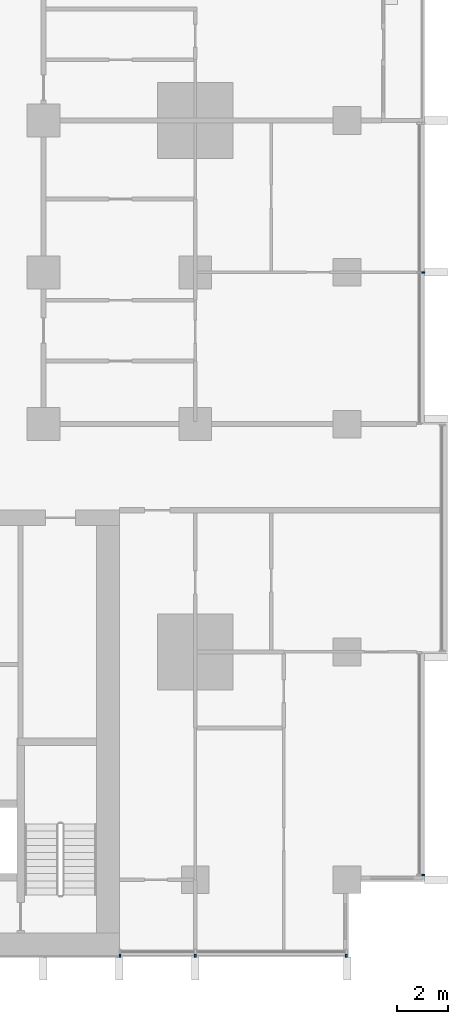
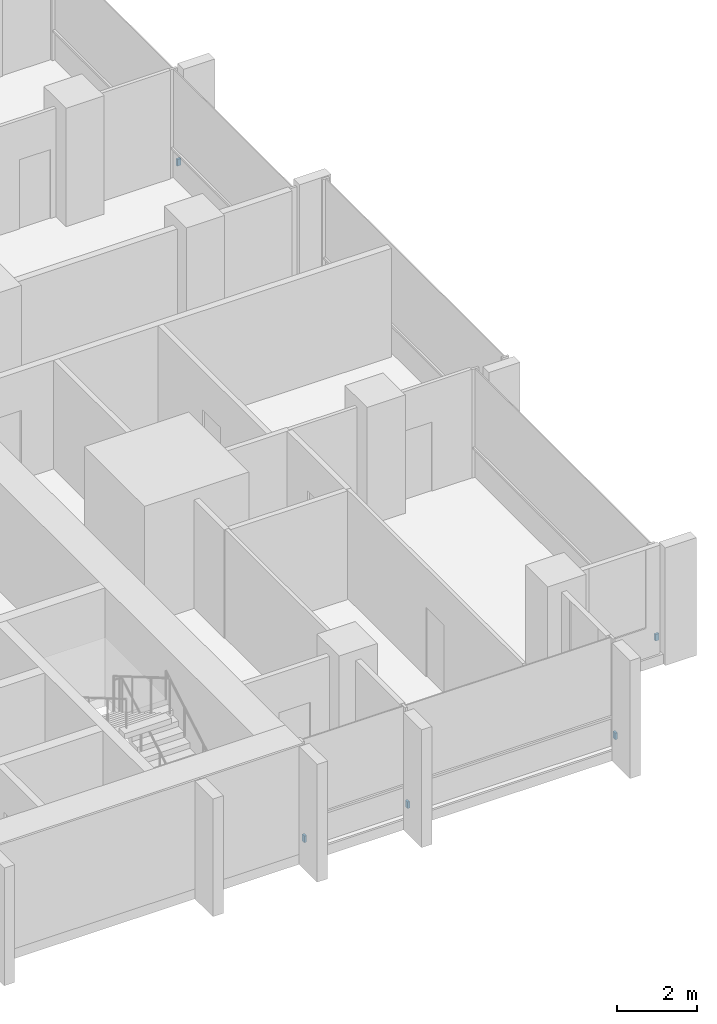
# One storey, part 15 of 18: 5 discrete accessories.
"""IFC4 building model written with IfcOpenShell, lengths in metres."""

import ifcopenshell
import ifcopenshell.guid

model = None  # the IFC model being written
_history = None  # IfcOwnerHistory: only IFC2X3 demands one
_inside = {}  # id of a spatial element -> (the spatial element, [elements in it])
_under = {}  # id of a project, library or spatial element -> (it, [spatial elements below it])
_declared = {}  # id of a project -> (the project, [libraries it declares])
_typed = {}  # id of a type object -> (the type object, [elements of that type])
_made_of = {}  # id of a material, layer set ... -> (it, [elements and type objects made of it])


def new_model(schema):
    """Start an empty IFC model of exactly this schema.

    Asked for "IFC4X3", IfcOpenShell would pick the latest addendum, in which some entities
    have other attributes; the version numbers below select the first issue.
    IFC2X3 requires an IfcOwnerHistory on every rooted entity: one is made here for all.
    """
    global model, _history
    if schema == "IFC4X3":
        model = ifcopenshell.file(schema_version=(4, 3, 0, 0))
    else:
        model = ifcopenshell.file(schema=schema)
    _inside.clear()
    _under.clear()
    _declared.clear()
    _typed.clear()
    _made_of.clear()
    _history = None
    if model.schema == "IFC2X3":
        org = make("IfcOrganization", Name="unknown")
        user = make(
            "IfcPersonAndOrganization",
            ThePerson=make("IfcPerson", FamilyName="unknown"),
            TheOrganization=org,
        )
        app = make(
            "IfcApplication",
            ApplicationDeveloper=org,
            Version="unknown",
            ApplicationFullName="unknown",
            ApplicationIdentifier="unknown",
        )
        _history = make(
            "IfcOwnerHistory",
            OwningUser=user,
            OwningApplication=app,
            ChangeAction="ADDED",
            CreationDate=0,
        )
    return model


def make(cls, **values):
    """One entity of the class cls with the attributes given. An attribute that is None is left unset."""
    return model.create_entity(
        cls, **{name: value for name, value in values.items() if value is not None}
    )


def rooted(cls, **values):
    """An entity with a GlobalId (a new one), such as an element, a storey or a relation."""
    return make(cls, GlobalId=ifcopenshell.guid.new(), OwnerHistory=_history, **values)


def si_unit(unit_type, name, prefix=None):
    """IfcSIUnit, for example si_unit("LENGTHUNIT", "METRE", prefix="MILLI")."""
    return make("IfcSIUnit", UnitType=unit_type, Prefix=prefix, Name=name)


def assignment(units):
    """IfcUnitAssignment: the units of a project."""
    return None if units is None else make("IfcUnitAssignment", Units=units)


def point(xyz):
    """IfcCartesianPoint."""
    return None if xyz is None else make("IfcCartesianPoint", Coordinates=xyz)


def direction(xyz):
    """IfcDirection."""
    return None if xyz is None else make("IfcDirection", DirectionRatios=xyz)


def frame(location, z_axis=None, x_axis=None):
    """IfcAxis2Placement3D, a coordinate frame: its origin and axes. An axis left out is left unset."""
    return make(
        "IfcAxis2Placement3D",
        Location=point(location),
        Axis=direction(z_axis),
        RefDirection=direction(x_axis),
    )


def frame_2d(location, x_axis=None):
    """IfcAxis2Placement2D, a coordinate frame in the plane: its origin and x axis."""
    return make(
        "IfcAxis2Placement2D", Location=point(location), RefDirection=direction(x_axis)
    )


def origin():
    """The frame at (0, 0, 0) with its axes left unset."""
    return frame((0.0, 0.0, 0.0))


def origin_2d():
    """The frame at (0, 0) in the plane with its x axis left unset."""
    return frame_2d((0.0, 0.0))


def place(relative_to, where):
    """IfcLocalPlacement: puts the frame where relative to a parent placement (None: the world)."""
    return make(
        "IfcLocalPlacement", PlacementRelTo=relative_to, RelativePlacement=where
    )


def context(
    kind, dimensions, precision=None, world=None, true_north=None, identifier=None
):
    """IfcGeometricRepresentationContext, for example the 3D "Model" context."""
    return make(
        "IfcGeometricRepresentationContext",
        ContextIdentifier=identifier,
        ContextType=kind,
        CoordinateSpaceDimension=dimensions,
        Precision=precision,
        WorldCoordinateSystem=world,
        TrueNorth=true_north,
    )


def subcontext(parent, identifier, kind, view, scale=None):
    """IfcGeometricRepresentationSubContext, for example "Body" below "Model"."""
    return make(
        "IfcGeometricRepresentationSubContext",
        ContextIdentifier=identifier,
        ContextType=kind,
        ParentContext=parent,
        TargetScale=scale,
        TargetView=view,
    )


def project(units=None, contexts=None):
    """IfcProject with its units and contexts."""
    return rooted(
        "IfcProject",
        Name="project",
        RepresentationContexts=contexts,
        UnitsInContext=assignment(units),
    )


def spatial(cls, under=None, at=None, **own):
    """A site, building, storey or space (cls), placed at a placement, below another one or the project."""
    s = rooted(cls, ObjectPlacement=at, **own)
    if under is not None:
        _under.setdefault(under.id(), (under, []))[1].append(s)
    return s


def profile(cls, at=None, kind="AREA", **sizes):
    """A parametric profile (cls). Its sizes go by their IFC names, for example OverallWidth=200.0."""
    return make(cls, ProfileType=kind, Position=at, **sizes)


def rectangle(**sizes):
    """IfcRectangleProfileDef."""
    return profile("IfcRectangleProfileDef", **sizes)


def extrude(swept, where, along, depth):
    """IfcExtrudedAreaSolid: the profile swept, set in the frame where, extruded along a direction by depth."""
    return make(
        "IfcExtrudedAreaSolid",
        SweptArea=swept,
        Position=where,
        ExtrudedDirection=direction(along),
        Depth=depth,
    )


def shape(context_of_items, identifier, shape_type, items):
    """IfcShapeRepresentation: the items that make up one representation, for example the "Body"."""
    return make(
        "IfcShapeRepresentation",
        ContextOfItems=context_of_items,
        RepresentationIdentifier=identifier,
        RepresentationType=shape_type,
        Items=items,
    )


def material(Name=None, Category=None):
    """IfcMaterial."""
    return make("IfcMaterial", Name=Name, Category=Category)


def made_of(thing, what):
    """Note that an element or type object is made of a material, layer set ...; save() writes the relation."""
    if what is not None:
        _made_of.setdefault(what.id(), (what, []))[1].append(thing)
    return thing


def type_object(cls, material=None, **own):
    """A type object (cls), such as IfcWallType, which elements share."""
    return made_of(rooted(cls, **own), material)


def element(
    cls,
    number,
    at=None,
    inside=None,
    cuts=None,
    type_object=None,
    material=None,
    context=None,
    identifier="Body",
    shape_type=None,
    held_by="IfcProductDefinitionShape",
    body=None,
    shapes=None,
    **own,
):
    """One element of the class cls, such as IfcWall. Its Tag is "e" and its number.

    at: its placement. inside: the storey or other place that contains it. cuts: it is an
    opening in that element (IfcRelVoidsElement). A single representation is given by context,
    identifier, shape_type and body (its items); several are given by shapes. held_by: the class
    of the entity that holds the representations. save() writes the other relations.
    """
    e = rooted(cls, Tag="e%d" % number, ObjectPlacement=at, **own)
    if body is not None:
        shapes = [shape(context, identifier, shape_type, body)]
    if shapes is not None:
        e.Representation = make(held_by, Representations=shapes)
    if inside is not None:
        _inside.setdefault(inside.id(), (inside, []))[1].append(e)
    if cuts is not None:
        rooted(
            "IfcRelVoidsElement", RelatingBuildingElement=cuts, RelatedOpeningElement=e
        )
    if type_object is not None:
        _typed.setdefault(type_object.id(), (type_object, []))[1].append(e)
    return made_of(e, material)


def aggregate(whole, parts):
    """IfcRelAggregates: a whole, such as a stair, and the parts it consists of."""
    return rooted("IfcRelAggregates", RelatingObject=whole, RelatedObjects=parts)


def save(model, path):
    """Write the relations noted so far, then the file.

    IfcRelAggregates (storeys below a building ...), IfcRelContainedInSpatialStructure (elements
    in a storey), IfcRelDefinesByType, IfcRelAssociatesMaterial and IfcRelDeclares: one each for
    every whole, place, type object, material and project.
    """
    for whole, parts in _under.values():
        aggregate(whole, parts)
    for where, things in _inside.values():
        rooted(
            "IfcRelContainedInSpatialStructure",
            RelatedElements=things,
            RelatingStructure=where,
        )
    for kind, things in _typed.values():
        rooted("IfcRelDefinesByType", RelatedObjects=things, RelatingType=kind)
    for what, things in _made_of.values():
        rooted("IfcRelAssociatesMaterial", RelatedObjects=things, RelatingMaterial=what)
    for by, libraries in _declared.values():
        rooted("IfcRelDeclares", RelatingContext=by, RelatedDefinitions=libraries)
    model.write(path)


model = new_model("IFC4")

# Units and contexts
model_context = context("Model", 3, precision=1e-05, world=origin(), true_north=direction((0.0, 1.0)))
body_context = subcontext(model_context, "Body", "Model", "MODEL_VIEW")
ifc_project = project(units=[si_unit("LENGTHUNIT", "METRE"), si_unit("AREAUNIT", "SQUARE_METRE"), si_unit("VOLUMEUNIT", "CUBIC_METRE"), si_unit("PLANEANGLEUNIT", "RADIAN"), si_unit("MASSUNIT", "GRAM", prefix="KILO")], contexts=[model_context])

# Site, building, storey
site_placement = place(None, origin())
site = spatial("IfcSite", under=ifc_project, at=site_placement, CompositionType="ELEMENT")
building_placement = place(site_placement, origin())
building = spatial("IfcBuilding", under=site, at=building_placement, Name="Finial Court Residences", CompositionType="ELEMENT")
storey_placement = place(building_placement, frame((0.0, 0.0, 68.5)))
storey = spatial("IfcBuildingStorey", under=building, at=storey_placement, Name="L16", CompositionType="ELEMENT", Elevation=68.5)

# Discrete accessories
ifc_material = material(Name="Stainless steel 316", Category="steel")
discrete_accessory_type = type_object("IfcDiscreteAccessoryType", Name="Fin bracket, stainless steel 65 x 110 x 200", PredefinedType="BRACKET", material=ifc_material)
for number, where, z_axis, x_axis, name in (
    (1, (25.5048828125, -22.3173828125, 0.2998046875), (0.0, 0.0, 1.0), (1.0, 0.0, 0.0), "E-L16-FIN-E9-BRK"),
    (2, (25.5048828125, 1.5, 0.2998046875), (0.0, 0.0, 1.0), (1.0, 0.0, 0.0), "E-L16-FIN-E12-BRK"),
):
    element("IfcDiscreteAccessory", number, at=place(storey_placement, frame(where, z_axis=z_axis, x_axis=x_axis)), inside=storey, type_object=discrete_accessory_type, Name=name, PredefinedType="BRACKET", context=body_context, shape_type="SweptSolid", body=[
        extrude(rectangle(XDim=0.110107421875, YDim=0.06494140625, at=origin_2d()), origin(), (0.0, 0.0, 1.0), 0.199951171875),
    ])
for number, where, z_axis, x_axis, name in (
    (3, (13.532470703125, -25.5048828125, 0.2998046875), (0.0, 0.0, 1.0), (1.0, 0.0, 0.0), "E-L16-FIN-S24-BRK"),
    (4, (16.5, -25.5048828125, 0.2998046875), (0.0, 0.0, 1.0), (1.0, 0.0, 0.0), "E-L16-FIN-S25-BRK"),
    (5, (22.467529296875, -25.5048828125, 0.2998046875), (0.0, 0.0, 1.0), (1.0, 0.0, 0.0), "E-L16-FIN-S26-BRK"),
):
    element("IfcDiscreteAccessory", number, at=place(storey_placement, frame(where, z_axis=z_axis, x_axis=x_axis)), inside=storey, type_object=discrete_accessory_type, Name=name, PredefinedType="BRACKET", context=body_context, shape_type="SweptSolid", body=[
        extrude(rectangle(XDim=0.06494140625, YDim=0.110107421875, at=origin_2d()), origin(), (0.0, 0.0, 1.0), 0.199951171875),
    ])

save(model, "model.ifc")
